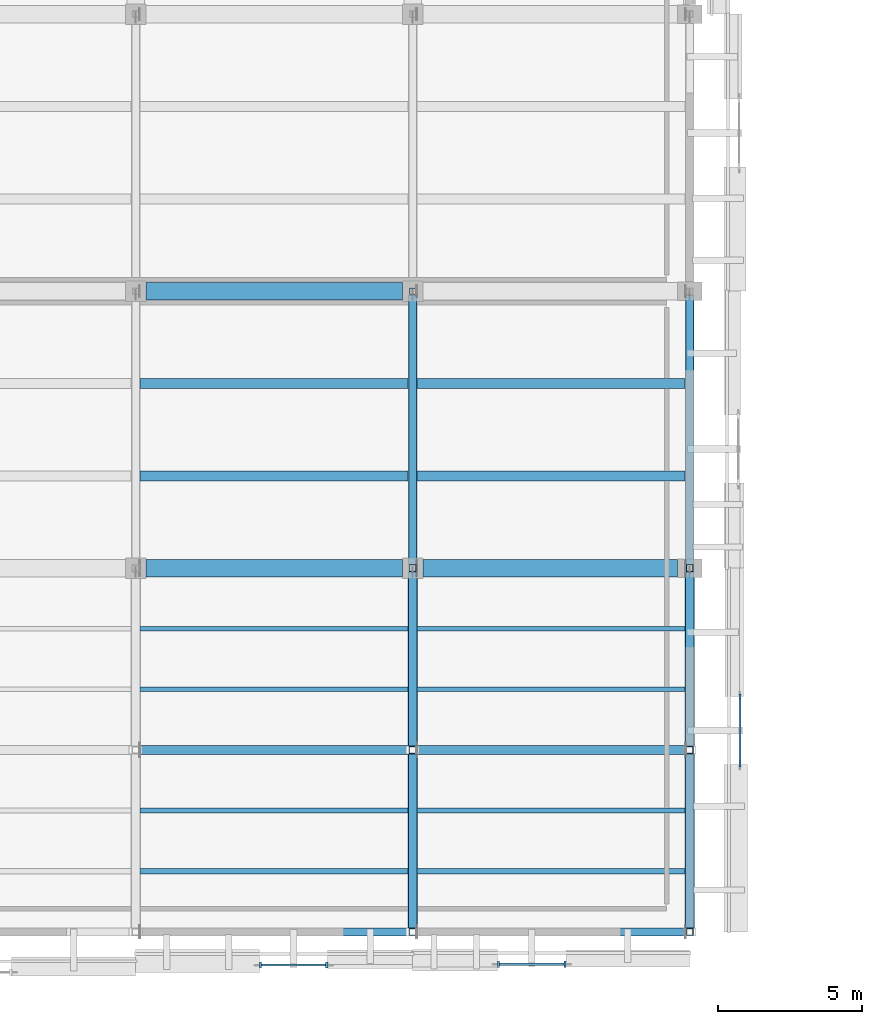
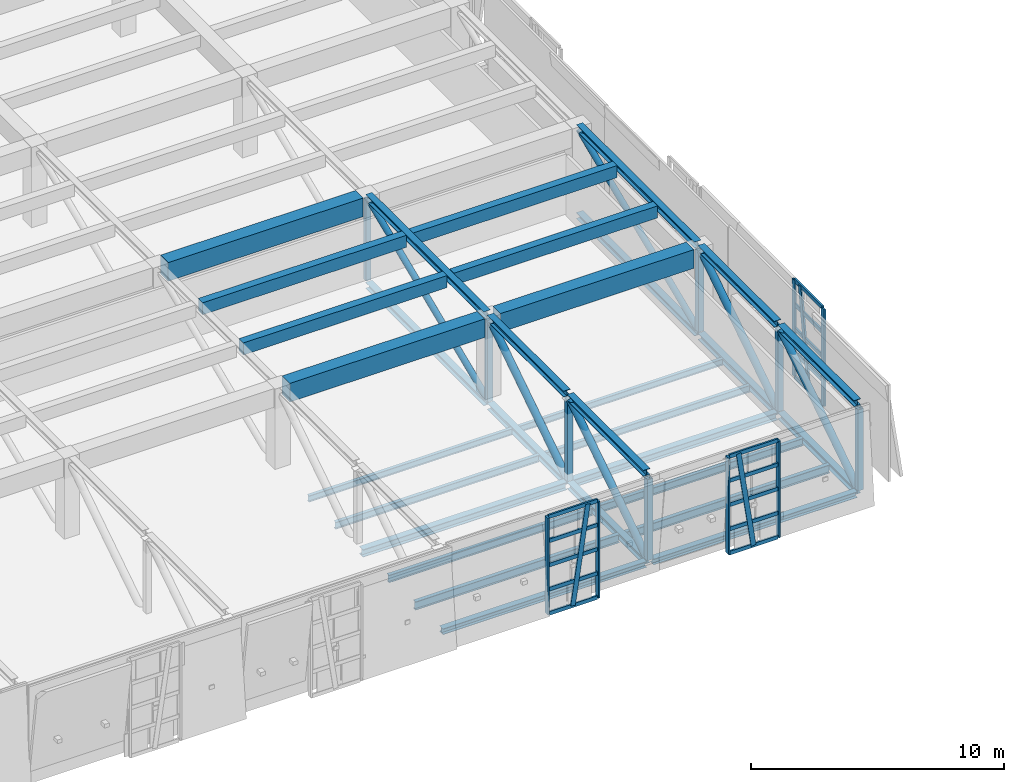
# One storey, part 13 of 62: 49 members, 19 beams, 3 elements without a shape of their own.
"""IFC4 building model written with IfcOpenShell, lengths in metres."""

from ifc_helpers import new_model, si_unit, direction, frame, origin, origin_2d, place, context, subcontext, project, spatial, rectangle, hollow_rectangle, hollow_circle, i_section, extrude, material, layer, layer_set, material_profile, profile_set, type_object, element, aggregate, save


model = new_model("IFC4")

# Units and contexts
model_context = context("Model", 3, precision=1e-05, world=origin(), true_north=direction((0.0, 1.0)))
body_context = subcontext(model_context, "Body", "Model", "MODEL_VIEW")
ifc_project = project(units=[si_unit("LENGTHUNIT", "METRE"), si_unit("AREAUNIT", "SQUARE_METRE"), si_unit("VOLUMEUNIT", "CUBIC_METRE"), si_unit("PLANEANGLEUNIT", "RADIAN"), si_unit("MASSUNIT", "GRAM", prefix="KILO")], contexts=[model_context])

# Site, building, storey
site_placement = place(None, origin())
site = spatial("IfcSite", under=ifc_project, at=site_placement, CompositionType="ELEMENT")
building_placement = place(site_placement, origin())
building = spatial("IfcBuilding", under=site, at=building_placement, Name="Bempovik Park Faculty of Sciences", CompositionType="ELEMENT")
storey_placement = place(building_placement, frame((0.0, 0.0, 9.89990234375)))
storey = spatial("IfcBuildingStorey", under=building, at=storey_placement, Name="L02", CompositionType="ELEMENT", Elevation=9.89990234375)

# Beams
ifc_material_1 = material(Name="Steel S355", Category="steel")
ifc_material_profile_1 = material_profile(ifc_material_1, i_section(OverallWidth=0.14990234375, OverallDepth=0.300048828125, WebThickness=0.007080078125, FlangeThickness=0.0107421875, at=origin_2d()), Name="IPE 300")
ifc_profile_set_1 = profile_set([ifc_material_profile_1], Name="Steel S355")
beam_type_1 = type_object("IfcBeamType", Name="B-043 IPE 300", PredefinedType="JOIST", material=ifc_profile_set_1)
for number, where, z_axis, x_axis, name in (
    (1, (98.555908203125, 17.699951171875, -0.469970703125), (1.0, 0.0, 0.0), (0.0, 1.0, 0.0), "Cantilever Floor Joist L02 (98.4-108.0, y=17.7)"),
    (2, (108.156005859375, 17.699951171875, -0.469970703125), (1.0, 0.0, 0.0), (0.0, 1.0, 0.0), "Cantilever Floor Joist L02 (108.0-117.6, y=17.7)"),
):
    element("IfcBeam", number, at=place(storey_placement, frame(where, z_axis=z_axis, x_axis=x_axis)), inside=storey, type_object=beam_type_1, Name=name, PredefinedType="JOIST", context=body_context, shape_type="SweptSolid", body=[
        extrude(i_section(OverallWidth=0.14990234375, OverallDepth=0.300048828125, WebThickness=0.007080078125, FlangeThickness=0.0107421875, at=origin_2d()), origin(), (0.0, 0.0, 1.0), 9.2880859375),
    ])
ifc_material_profile_2 = material_profile(ifc_material_1, i_section(OverallWidth=0.300048828125, OverallDepth=0.360107421875, WebThickness=0.012451171875, FlangeThickness=0.0224609375, at=origin_2d()), Name="HEB 360")
ifc_profile_set_2 = profile_set([ifc_material_profile_2], Name="Steel S355")
beam_type_2 = type_object("IfcBeamType", Name="B-102 HEB 360", PredefinedType="BEAM", material=ifc_profile_set_2)
for number, where, z_axis, x_axis, name in (
    (3, (98.555908203125, 13.5, -0.5), (1.0, 0.0, 0.0), (0.0, 1.0, 0.0), "Cantilever Collector Beam L02 (98.4-108.0, y=13.5)"),
    (4, (108.156005859375, 13.5, -0.5), (1.0, 0.0, 0.0), (0.0, 1.0, 0.0), "Cantilever Collector Beam L02 (108.0-117.6, y=13.5)"),
):
    element("IfcBeam", number, at=place(storey_placement, frame(where, z_axis=z_axis, x_axis=x_axis)), inside=storey, type_object=beam_type_2, Name=name, PredefinedType="BEAM", context=body_context, shape_type="SweptSolid", body=[
        extrude(i_section(OverallWidth=0.300048828125, OverallDepth=0.360107421875, WebThickness=0.012451171875, FlangeThickness=0.0224609375, at=origin_2d()), origin(), (0.0, 0.0, 1.0), 9.2880859375),
    ])
ifc_material_profile_3 = material_profile(ifc_material_1, i_section(OverallWidth=0.169921875, OverallDepth=0.360107421875, WebThickness=0.008056640625, FlangeThickness=0.0126953125, at=origin_2d()), Name="IPE 360")
ifc_profile_set_3 = profile_set([ifc_material_profile_3], Name="Steel S355")
beam_type_3 = type_object("IfcBeamType", Name="B-103 IPE 360", PredefinedType="JOIST", material=ifc_profile_set_3)
for number, where, z_axis, x_axis, name in (
    (5, (98.555908203125, 11.39990234375, -0.5), (1.0, 0.0, 0.0), (0.0, 1.0, 0.0), "Cantilever Floor Joist L02 (98.4-108.0, y=11.4)"),
    (6, (108.156005859375, 11.39990234375, -0.5), (1.0, 0.0, 0.0), (0.0, 1.0, 0.0), "Cantilever Floor Joist L02 (108.0-117.6, y=11.4)"),
):
    element("IfcBeam", number, at=place(storey_placement, frame(where, z_axis=z_axis, x_axis=x_axis)), inside=storey, type_object=beam_type_3, Name=name, PredefinedType="JOIST", context=body_context, shape_type="SweptSolid", body=[
        extrude(i_section(OverallWidth=0.169921875, OverallDepth=0.360107421875, WebThickness=0.008056640625, FlangeThickness=0.0126953125, at=origin_2d()), origin(), (0.0, 0.0, 1.0), 9.2880859375),
    ])
ifc_material_2 = material(Name="Concrete C35/45", Category="concrete")
ifc_material_profile_4 = material_profile(ifc_material_2, rectangle(XDim=0.35009765625, YDim=0.580078125, at=origin_2d()), Name="RC 350x580")
ifc_profile_set_4 = profile_set([ifc_material_profile_4], Name="Concrete C35/45")
beam_type_4 = type_object("IfcBeamType", Name="B-107 RC 350x580", PredefinedType="JOIST", material=ifc_profile_set_4)
for number, where, z_axis, x_axis, name in (
    (7, (98.555908203125, 23.0, 3.610107421875), (1.0, 0.0, 0.0), (0.0, 1.0, 0.0), "L02 Secondary Joist (98.4-108.0, y=23.00)"),
    (8, (98.555908203125, 26.199951171875, 3.610107421875), (1.0, 0.0, 0.0), (0.0, 1.0, 0.0), "L02 Secondary Joist (98.4-108.0, y=26.20)"),
    (9, (108.156005859375, 23.0, 3.610107421875), (1.0, 0.0, 0.0), (0.0, 1.0, 0.0), "L02 Secondary Joist (108.0-117.6, y=23.00)"),
    (10, (108.156005859375, 26.199951171875, 3.610107421875), (1.0, 0.0, 0.0), (0.0, 1.0, 0.0), "L02 Secondary Joist (108.0-117.6, y=26.20)"),
):
    element("IfcBeam", number, at=place(storey_placement, frame(where, z_axis=z_axis, x_axis=x_axis)), inside=storey, type_object=beam_type_4, Name=name, PredefinedType="JOIST", context=body_context, shape_type="SweptSolid", body=[
        extrude(rectangle(XDim=0.35009765625, YDim=0.580078125, at=origin_2d()), origin(), (0.0, 0.0, 1.0), 9.2880859375),
    ])
ifc_material_profile_5 = material_profile(ifc_material_1, i_section(OverallWidth=0.179931640625, OverallDepth=0.39990234375, WebThickness=0.008544921875, FlangeThickness=0.013427734375, at=origin_2d()), Name="IPE 400")
ifc_profile_set_5 = profile_set([ifc_material_profile_5], Name="Steel S355")
beam_type_5 = type_object("IfcBeamType", Name="B-111 IPE 400", PredefinedType="BEAM", material=ifc_profile_set_5)
for number, where, z_axis, x_axis, name in (
    (11, (98.555908203125, 9.300048828125, -0.52001953125), (1.0, 0.0, 0.0), (0.0, 1.0, 0.0), "Cantilever Floor Joist L02 (98.4-108.0, y=9.3)"),
    (12, (108.156005859375, 9.300048828125, -0.52001953125), (1.0, 0.0, 0.0), (0.0, 1.0, 0.0), "Cantilever Floor Joist L02 (108.0-117.6, y=9.3)"),
):
    element("IfcBeam", number, at=place(storey_placement, frame(where, z_axis=z_axis, x_axis=x_axis)), inside=storey, type_object=beam_type_5, Name=name, PredefinedType="BEAM", context=body_context, shape_type="SweptSolid", body=[
        extrude(i_section(OverallWidth=0.179931640625, OverallDepth=0.39990234375, WebThickness=0.008544921875, FlangeThickness=0.013427734375, at=origin_2d()), origin(), (0.0, 0.0, 1.0), 9.2880859375),
    ])
ifc_material_3 = material(Name="Concrete C40/50", Category="concrete")
ifc_material_profile_6 = material_profile(ifc_material_3, rectangle(XDim=0.60009765625, YDim=0.89990234375, at=origin_2d()), Name="RC 600x900")
ifc_profile_set_6 = profile_set([ifc_material_profile_6], Name="Concrete C40/50")
beam_type_6 = type_object("IfcBeamType", Name="B-115 RC 600x900", PredefinedType="BEAM", material=ifc_profile_set_6)
beam_1_placement = place(storey_placement, frame((98.756103515625, 19.800048828125, 3.4501953125), z_axis=(1.0, 0.0, 0.0), x_axis=(0.0, 1.0, 0.0)))
element("IfcBeam", 13, at=beam_1_placement, inside=storey, type_object=beam_type_6, Name="L02 Beam X (98.4-108.0, y=19.8)", PredefinedType="BEAM", context=body_context, shape_type="SweptSolid", body=[
    extrude(rectangle(XDim=0.60009765625, YDim=0.89990234375, at=origin_2d()), origin(), (0.0, 0.0, 1.0), 8.887939453125),
])
beam_2_placement = place(storey_placement, frame((108.35595703125, 19.800048828125, 3.4501953125), z_axis=(1.0, 0.0, 0.0), x_axis=(0.0, 1.0, 0.0)))
element("IfcBeam", 14, at=beam_2_placement, inside=storey, type_object=beam_type_6, Name="L02 Beam X (108.0-117.6, y=19.8)", PredefinedType="BEAM", context=body_context, shape_type="SweptSolid", body=[
    extrude(rectangle(XDim=0.60009765625, YDim=0.89990234375, at=origin_2d()), origin(), (0.0, 0.0, 1.0), 8.81298828125),
])
beam_3_placement = place(storey_placement, frame((98.756103515625, 29.39990234375, 3.4501953125), z_axis=(1.0, 0.0, 0.0), x_axis=(0.0, 1.0, 0.0)))
element("IfcBeam", 15, at=beam_3_placement, inside=storey, type_object=beam_type_6, Name="L02 Beam X (98.4-108.0, y=29.4)", PredefinedType="BEAM", context=body_context, shape_type="SweptSolid", body=[
    extrude(rectangle(XDim=0.60009765625, YDim=0.89990234375, at=origin_2d()), origin(), (0.0, 0.0, 1.0), 8.887939453125),
])
ifc_material_profile_7 = material_profile(ifc_material_1, i_section(OverallWidth=0.280029296875, OverallDepth=0.280029296875, WebThickness=0.010498046875, FlangeThickness=0.01806640625, at=origin_2d()), Name="HEB 280")
ifc_profile_set_7 = profile_set([ifc_material_profile_7], Name="Steel S355")
beam_type_7 = type_object("IfcBeamType", Name="B-119 HEB 280", PredefinedType="SPANDREL", material=ifc_profile_set_7)
for number, where, z_axis, x_axis, name in (
    (16, (98.555908203125, 7.199951171875, -0.4599609375), (1.0, 0.0, 0.0), (0.0, 1.0, 0.0), "Cantilever Collector Beam L02 (98.4-108.0, y=7.2)"),
    (17, (108.156005859375, 7.199951171875, -0.4599609375), (1.0, 0.0, 0.0), (0.0, 1.0, 0.0), "Cantilever Collector Beam L02 (108.0-117.6, y=7.2)"),
):
    element("IfcBeam", number, at=place(storey_placement, frame(where, z_axis=z_axis, x_axis=x_axis)), inside=storey, type_object=beam_type_7, Name=name, PredefinedType="SPANDREL", context=body_context, shape_type="SweptSolid", body=[
        extrude(i_section(OverallWidth=0.280029296875, OverallDepth=0.280029296875, WebThickness=0.010498046875, FlangeThickness=0.01806640625, at=origin_2d()), origin(), (0.0, 0.0, 1.0), 9.2880859375),
    ])
ifc_material_profile_8 = material_profile(ifc_material_1, i_section(OverallWidth=0.159912109375, OverallDepth=0.330078125, WebThickness=0.007568359375, FlangeThickness=0.011474609375, at=origin_2d()), Name="IPE 330")
ifc_profile_set_8 = profile_set([ifc_material_profile_8], Name="Steel S355")
beam_type_8 = type_object("IfcBeamType", Name="B-126 IPE 330", PredefinedType="BEAM", material=ifc_profile_set_8)
for number, where, z_axis, x_axis, name in (
    (18, (98.555908203125, 15.60009765625, -0.48486328125), (1.0, 0.0, 0.0), (0.0, 1.0, 0.0), "Cantilever Floor Joist L02 (98.4-108.0, y=15.6)"),
    (19, (108.156005859375, 15.60009765625, -0.48486328125), (1.0, 0.0, 0.0), (0.0, 1.0, 0.0), "Cantilever Floor Joist L02 (108.0-117.6, y=15.6)"),
):
    element("IfcBeam", number, at=place(storey_placement, frame(where, z_axis=z_axis, x_axis=x_axis)), inside=storey, type_object=beam_type_8, Name=name, PredefinedType="BEAM", context=body_context, shape_type="SweptSolid", body=[
        extrude(i_section(OverallWidth=0.159912109375, OverallDepth=0.330078125, WebThickness=0.007568359375, FlangeThickness=0.011474609375, at=origin_2d()), origin(), (0.0, 0.0, 1.0), 9.2880859375),
    ])

# Members
ifc_material_profile_9 = material_profile(ifc_material_1, i_section(OverallWidth=0.300048828125, OverallDepth=0.320068359375, WebThickness=0.011474609375, FlangeThickness=0.0205078125, at=origin_2d()), Name="HEB 320")
ifc_profile_set_9 = profile_set([ifc_material_profile_9], Name="Steel S355")
member_type_1 = type_object("IfcMemberType", Name="M-24 HEB 320", PredefinedType="CHORD", material=ifc_profile_set_9)
for number, where, z_axis, x_axis, name in (
    (20, (108.0, 7.33203125, -0.47998046875), (0.0, 1.0, 0.0), (-1.0, 0.0, 0.0), "Cantilever Truss 6 Bottom Chord 1"),
    (21, (108.0, 13.632080078125, -0.47998046875), (0.0, 1.0, 0.0), (-1.0, 0.0, 0.0), "Cantilever Truss 6 Bottom Chord 2"),
    (22, (117.60009765625, 7.33203125, -0.47998046875), (0.0, 1.0, 0.0), (-1.0, 0.0, 0.0), "Cantilever Truss 7 Bottom Chord 1"),
    (23, (117.60009765625, 13.632080078125, -0.47998046875), (0.0, 1.0, 0.0), (-1.0, 0.0, 0.0), "Cantilever Truss 7 Bottom Chord 2"),
):
    element("IfcMember", number, at=place(storey_placement, frame(where, z_axis=z_axis, x_axis=x_axis)), inside=storey, type_object=member_type_1, Name=name, PredefinedType="CHORD", context=body_context, shape_type="SweptSolid", body=[
        extrude(i_section(OverallWidth=0.300048828125, OverallDepth=0.320068359375, WebThickness=0.011474609375, FlangeThickness=0.0205078125, at=origin_2d()), origin(), (0.0, 0.0, 1.0), 6.035888671875),
    ])
ifc_material_profile_10 = material_profile(ifc_material_1, hollow_rectangle(XDim=0.219970703125, YDim=0.219970703125, WallThickness=0.010009765625, at=origin_2d()), Name="SHS 220x220x10")
ifc_profile_set_10 = profile_set([ifc_material_profile_10], Name="Steel S355")
member_type_2 = type_object("IfcMemberType", Name="M-32 SHS 220x220x10", PredefinedType="POST", material=ifc_profile_set_10)
member_1_placement = place(storey_placement, frame((108.0, 29.39990234375, -0.31396484375), z_axis=(0.0, 0.0, 1.0), x_axis=(1.0, 0.0, 0.0)))
element("IfcMember", 24, at=member_1_placement, inside=storey, type_object=member_type_2, Name="Cantilever Truss 6 L02 Post 4", PredefinedType="POST", context=body_context, shape_type="SweptSolid", body=[
    extrude(hollow_rectangle(XDim=0.219970703125, YDim=0.219970703125, WallThickness=0.010009765625, at=origin_2d()), origin(), (0.0, 0.0, 1.0), 3.907958984375),
])
ifc_material_profile_11 = material_profile(ifc_material_1, hollow_circle(Radius=0.161865234375, WallThickness=0.01611328125, at=origin_2d()), Name="CHS 323.9x16")
ifc_profile_set_11 = profile_set([ifc_material_profile_11], Name="Steel S355")
member_type_3 = type_object("IfcMemberType", Name="M-38 CHS 323.9x16", PredefinedType="BRACE", material=ifc_profile_set_11)
for number, where, z_axis, x_axis, name in (
    (25, (108.0, 7.3349609375, -0.31396484375), (0.0, 0.839177969372, 0.543856907395), (-1.0, 0.0, 0.0), "Cantilever Truss 6 L02 Diagonal 1"),
    (26, (108.0, 13.635009765625, -0.31396484375), (0.0, 0.839177969372, 0.543856907395), (-1.0, 0.0, 0.0), "Cantilever Truss 6 L02 Diagonal 2"),
    (27, (117.60009765625, 7.3349609375, -0.31396484375), (0.0, 0.839177969372, 0.543856907395), (-1.0, 0.0, 0.0), "Cantilever Truss 7 L02 Diagonal 1"),
    (28, (117.60009765625, 13.635009765625, -0.31396484375), (0.0, 0.839177969372, 0.543856907395), (-1.0, 0.0, 0.0), "Cantilever Truss 7 L02 Diagonal 2"),
):
    element("IfcMember", number, at=place(storey_placement, frame(where, z_axis=z_axis, x_axis=x_axis)), inside=storey, type_object=member_type_3, Name=name, PredefinedType="BRACE", context=body_context, shape_type="SweptSolid", body=[
        extrude(hollow_circle(Radius=0.161865234375, WallThickness=0.01611328125, at=origin_2d()), origin(), (0.0, 0.0, 1.0), 7.185546875),
    ])
ifc_material_profile_12 = material_profile(ifc_material_1, i_section(OverallWidth=0.300048828125, OverallDepth=0.300048828125, WebThickness=0.010986328125, FlangeThickness=0.01904296875, at=origin_2d()), Name="HEB 300")
ifc_profile_set_12 = profile_set([ifc_material_profile_12], Name="Steel S355")
member_type_4 = type_object("IfcMemberType", Name="M-55 HEB 300", PredefinedType="CHORD", material=ifc_profile_set_12)
for number, where, z_axis, x_axis, name in (
    (29, (108.0, 7.33203125, 3.75), (0.0, 1.0, 0.0), (-1.0, 0.0, 0.0), "Cantilever Truss 6 Mid Tie 1"),
    (30, (108.0, 13.632080078125, 3.75), (0.0, 1.0, 0.0), (-1.0, 0.0, 0.0), "Cantilever Truss 6 Mid Tie 2"),
):
    element("IfcMember", number, at=place(storey_placement, frame(where, z_axis=z_axis, x_axis=x_axis)), inside=storey, type_object=member_type_4, Name=name, PredefinedType="CHORD", context=body_context, shape_type="SweptSolid", body=[
        extrude(i_section(OverallWidth=0.300048828125, OverallDepth=0.300048828125, WebThickness=0.010986328125, FlangeThickness=0.01904296875, at=origin_2d()), origin(), (0.0, 0.0, 1.0), 6.035888671875),
    ])
for number, where, z_axis, x_axis, name in (
    (31, (108.0, 19.931884765625, -0.47998046875), (0.0, 1.0, 0.0), (-1.0, 0.0, 0.0), "Cantilever Truss 6 Bottom Chord 3"),
    (32, (108.0, 19.931884765625, 3.75), (0.0, 1.0, 0.0), (-1.0, 0.0, 0.0), "Cantilever Truss 6 Mid Tie 3"),
):
    element("IfcMember", number, at=place(storey_placement, frame(where, z_axis=z_axis, x_axis=x_axis)), inside=storey, type_object=member_type_4, Name=name, PredefinedType="CHORD", context=body_context, shape_type="SweptSolid", body=[
        extrude(i_section(OverallWidth=0.300048828125, OverallDepth=0.300048828125, WebThickness=0.010986328125, FlangeThickness=0.01904296875, at=origin_2d()), origin(), (0.0, 0.0, 1.0), 9.336181640625),
    ])
for number, where, z_axis, x_axis, name in (
    (33, (117.60009765625, 7.33203125, 3.75), (0.0, 1.0, 0.0), (-1.0, 0.0, 0.0), "Cantilever Truss 7 Mid Tie 1"),
    (34, (117.60009765625, 13.632080078125, 3.75), (0.0, 1.0, 0.0), (-1.0, 0.0, 0.0), "Cantilever Truss 7 Mid Tie 2"),
):
    element("IfcMember", number, at=place(storey_placement, frame(where, z_axis=z_axis, x_axis=x_axis)), inside=storey, type_object=member_type_4, Name=name, PredefinedType="CHORD", context=body_context, shape_type="SweptSolid", body=[
        extrude(i_section(OverallWidth=0.300048828125, OverallDepth=0.300048828125, WebThickness=0.010986328125, FlangeThickness=0.01904296875, at=origin_2d()), origin(), (0.0, 0.0, 1.0), 6.035888671875),
    ])
for number, where, z_axis, x_axis, name in (
    (35, (117.60009765625, 19.931884765625, -0.47998046875), (0.0, 1.0, 0.0), (-1.0, 0.0, 0.0), "Cantilever Truss 7 Bottom Chord 3"),
    (36, (117.60009765625, 19.931884765625, 3.75), (0.0, 1.0, 0.0), (-1.0, 0.0, 0.0), "Cantilever Truss 7 Mid Tie 3"),
):
    element("IfcMember", number, at=place(storey_placement, frame(where, z_axis=z_axis, x_axis=x_axis)), inside=storey, type_object=member_type_4, Name=name, PredefinedType="CHORD", context=body_context, shape_type="SweptSolid", body=[
        extrude(i_section(OverallWidth=0.300048828125, OverallDepth=0.300048828125, WebThickness=0.010986328125, FlangeThickness=0.01904296875, at=origin_2d()), origin(), (0.0, 0.0, 1.0), 9.336181640625),
    ])
ifc_material_profile_13 = material_profile(ifc_material_1, hollow_rectangle(XDim=0.25, YDim=0.25, WallThickness=0.012451171875, at=origin_2d()), Name="SHS 250x250x12.5")
ifc_profile_set_13 = profile_set([ifc_material_profile_13], Name="Steel S355")
member_type_5 = type_object("IfcMemberType", Name="M-64 SHS 250x250x12.5", PredefinedType="POST", material=ifc_profile_set_13)
for number, where, z_axis, x_axis, name in (
    (37, (108.0, 7.199951171875, -0.31396484375), (0.0, 0.0, 1.0), (1.0, 0.0, 0.0), "Cantilever Truss 6 L02 Post 1"),
    (38, (108.0, 13.5, -0.31396484375), (0.0, 0.0, 1.0), (1.0, 0.0, 0.0), "Cantilever Truss 6 L02 Post 2"),
    (39, (108.0, 19.800048828125, -0.31396484375), (0.0, 0.0, 1.0), (1.0, 0.0, 0.0), "Cantilever Truss 6 L02 Post 3"),
    (40, (117.60009765625, 7.199951171875, -0.31396484375), (0.0, 0.0, 1.0), (1.0, 0.0, 0.0), "Cantilever Truss 7 L02 Post 1"),
    (41, (117.60009765625, 13.5, -0.31396484375), (0.0, 0.0, 1.0), (1.0, 0.0, 0.0), "Cantilever Truss 7 L02 Post 2"),
    (42, (117.60009765625, 19.800048828125, -0.31396484375), (0.0, 0.0, 1.0), (1.0, 0.0, 0.0), "Cantilever Truss 7 L02 Post 3"),
):
    element("IfcMember", number, at=place(storey_placement, frame(where, z_axis=z_axis, x_axis=x_axis)), inside=storey, type_object=member_type_5, Name=name, PredefinedType="POST", context=body_context, shape_type="SweptSolid", body=[
        extrude(hollow_rectangle(XDim=0.25, YDim=0.25, WallThickness=0.012451171875, at=origin_2d()), origin(), (0.0, 0.0, 1.0), 3.907958984375),
    ])
ifc_material_profile_14 = material_profile(ifc_material_1, hollow_circle(Radius=0.136474609375, WallThickness=0.012451171875, at=origin_2d()), Name="CHS 273x12.5")
ifc_profile_set_14 = profile_set([ifc_material_profile_14], Name="Steel S355")
member_type_6 = type_object("IfcMemberType", Name="M-78 CHS 273x12.5", PredefinedType="BRACE", material=ifc_profile_set_14)
for number, where, z_axis, x_axis, name in (
    (43, (108.0, 19.93505859375, -0.31396484375), (0.0, 0.922354795709, 0.386343928167), (-1.0, 0.0, 0.0), "Cantilever Truss 6 L02 Diagonal 3"),
    (44, (117.60009765625, 19.93505859375, -0.31396484375), (0.0, 0.922354795709, 0.386343928167), (-1.0, 0.0, 0.0), "Cantilever Truss 7 L02 Diagonal 3"),
):
    element("IfcMember", number, at=place(storey_placement, frame(where, z_axis=z_axis, x_axis=x_axis)), inside=storey, type_object=member_type_6, Name=name, PredefinedType="BRACE", context=body_context, shape_type="SweptSolid", body=[
        extrude(hollow_circle(Radius=0.136474609375, WallThickness=0.012451171875, at=origin_2d()), origin(), (0.0, 0.0, 1.0), 10.115234375),
    ])

# Curtain wall, members
ifc_material_4 = material(Name="Tempered laminated low-E glass", Category="glass")
ifc_layer = layer(ifc_material_4, 0.159912109375)
ifc_layer_set = layer_set([ifc_layer], Name="Tempered laminated low-E glass")
curtain_wall_type = type_object("IfcCurtainWallType", Name="CW-61 Curtain 2400x4200", PredefinedType="USERDEFINED", material=ifc_layer_set)
curtain_wall_1_placement = place(storey_placement, origin())
curtain_wall_1 = element("IfcCurtainWall", 45, at=curtain_wall_1_placement, inside=storey, type_object=curtain_wall_type, Name="L02 Crystal Slantwise Light Fold (117.6,7.2)", ObjectType="UNITISED CURTAIN WALL", PredefinedType="USERDEFINED")
ifc_material_5 = material(Name="Anodised architectural bronze", Category="aluminium")
ifc_material_profile_15 = material_profile(ifc_material_5, rectangle(XDim=0.080078125, YDim=0.219970703125, at=origin_2d()), Name="ALU-M 80x220")
ifc_profile_set_15 = profile_set([ifc_material_profile_15], Name="Anodised architectural bronze")
member_type_7 = type_object("IfcMemberType", Name="ML-29 ALU-M 80x220", PredefinedType="MULLION", material=ifc_profile_set_15)
member_2_placement = place(storey_placement, frame((119.34033203125, 13.02490234375, -0.419921875), z_axis=(0.0, 0.0, 1.0), x_axis=(1.0, 0.0, 0.0)))
member_2 = element("IfcMember", 46, at=member_2_placement, type_object=member_type_7, Name="CW-FOLD-L02-1176-72 Mullion 0", PredefinedType="MULLION", context=body_context, shape_type="SweptSolid", body=[
    extrude(rectangle(XDim=0.080078125, YDim=0.219970703125, at=origin_2d()), origin(), (0.0, 0.0, 1.0), 4.659912109375),
])
member_3_placement = place(storey_placement, frame((119.34033203125, 14.175048828125, -0.419921875), z_axis=(0.0, 0.144381979777, 0.989522028009), x_axis=(-1.0, 0.0, 0.0)))
member_3 = element("IfcMember", 47, at=member_3_placement, type_object=member_type_7, Name="CW-FOLD-L02-1176-72 Mullion 1", PredefinedType="MULLION", context=body_context, shape_type="SweptSolid", body=[
    extrude(rectangle(XDim=0.080078125, YDim=0.219970703125, at=origin_2d()), origin(), (0.0, 0.0, 1.0), 4.709228515625),
])
member_4_placement = place(storey_placement, frame((119.34033203125, 15.324951171875, -0.419921875), z_axis=(0.0, 0.0, 1.0), x_axis=(1.0, 0.0, 0.0)))
member_4 = element("IfcMember", 48, at=member_4_placement, type_object=member_type_7, Name="CW-FOLD-L02-1176-72 Mullion 2", PredefinedType="MULLION", context=body_context, shape_type="SweptSolid", body=[
    extrude(rectangle(XDim=0.080078125, YDim=0.219970703125, at=origin_2d()), origin(), (0.0, 0.0, 1.0), 4.659912109375),
])

curtain_wall_2_placement = place(storey_placement, origin())
curtain_wall_2 = element("IfcCurtainWall", 49, at=curtain_wall_2_placement, inside=storey, type_object=curtain_wall_type, Name="L02 Crystal Slantwise Light Fold (7.2,98.4)", ObjectType="UNITISED CURTAIN WALL", PredefinedType="USERDEFINED")
member_5_placement = place(storey_placement, frame((102.72509765625, 6.047607421875, -0.419921875), z_axis=(0.0, 0.0, 1.0), x_axis=(1.0, 0.0, 0.0)))
member_5 = element("IfcMember", 50, at=member_5_placement, type_object=member_type_7, Name="CW-FOLD-L02-72-984 Mullion 0", PredefinedType="MULLION", context=body_context, shape_type="SweptSolid", body=[
    extrude(rectangle(XDim=0.080078125, YDim=0.219970703125, at=origin_2d()), origin(), (0.0, 0.0, 1.0), 4.659912109375),
])
member_6_placement = place(storey_placement, frame((103.875, 6.047607421875, -0.419921875), z_axis=(0.144381979777, 0.0, 0.989522028009), x_axis=(0.0, 1.0, 0.0)))
member_6 = element("IfcMember", 51, at=member_6_placement, type_object=member_type_7, Name="CW-FOLD-L02-72-984 Mullion 1", PredefinedType="MULLION", context=body_context, shape_type="SweptSolid", body=[
    extrude(rectangle(XDim=0.080078125, YDim=0.219970703125, at=origin_2d()), origin(), (0.0, 0.0, 1.0), 4.709228515625),
])
member_7_placement = place(storey_placement, frame((105.02490234375, 6.047607421875, -0.419921875), z_axis=(0.0, 0.0, 1.0), x_axis=(1.0, 0.0, 0.0)))
member_7 = element("IfcMember", 52, at=member_7_placement, type_object=member_type_7, Name="CW-FOLD-L02-72-984 Mullion 2", PredefinedType="MULLION", context=body_context, shape_type="SweptSolid", body=[
    extrude(rectangle(XDim=0.080078125, YDim=0.219970703125, at=origin_2d()), origin(), (0.0, 0.0, 1.0), 4.659912109375),
])

curtain_wall_3_placement = place(storey_placement, origin())
curtain_wall_3 = element("IfcCurtainWall", 53, at=curtain_wall_3_placement, inside=storey, type_object=curtain_wall_type, Name="L02 Crystal Slantwise Light Fold (7.2,108.0)", ObjectType="UNITISED CURTAIN WALL", PredefinedType="USERDEFINED")
member_8_placement = place(storey_placement, frame((110.97509765625, 6.079833984375, -0.419921875), z_axis=(0.0, 0.0, 1.0), x_axis=(1.0, 0.0, 0.0)))
member_8 = element("IfcMember", 54, at=member_8_placement, type_object=member_type_7, Name="CW-FOLD-L02-72-1080 Mullion 0", PredefinedType="MULLION", context=body_context, shape_type="SweptSolid", body=[
    extrude(rectangle(XDim=0.080078125, YDim=0.219970703125, at=origin_2d()), origin(), (0.0, 0.0, 1.0), 4.659912109375),
])
member_9_placement = place(storey_placement, frame((112.125, 6.079833984375, -0.419921875), z_axis=(-0.144381979777, 0.0, 0.989522028009), x_axis=(0.0, -1.0, 0.0)))
member_9 = element("IfcMember", 55, at=member_9_placement, type_object=member_type_7, Name="CW-FOLD-L02-72-1080 Mullion 1", PredefinedType="MULLION", context=body_context, shape_type="SweptSolid", body=[
    extrude(rectangle(XDim=0.080078125, YDim=0.219970703125, at=origin_2d()), origin(), (0.0, 0.0, 1.0), 4.709228515625),
])
member_10_placement = place(storey_placement, frame((113.27490234375, 6.079833984375, -0.419921875), z_axis=(0.0, 0.0, 1.0), x_axis=(1.0, 0.0, 0.0)))
member_10 = element("IfcMember", 56, at=member_10_placement, type_object=member_type_7, Name="CW-FOLD-L02-72-1080 Mullion 2", PredefinedType="MULLION", context=body_context, shape_type="SweptSolid", body=[
    extrude(rectangle(XDim=0.080078125, YDim=0.219970703125, at=origin_2d()), origin(), (0.0, 0.0, 1.0), 4.659912109375),
])

# Member
ifc_material_profile_16 = material_profile(ifc_material_5, rectangle(XDim=0.080078125, YDim=0.179931640625, at=origin_2d()), Name="ALU-T 80x180")
ifc_profile_set_16 = profile_set([ifc_material_profile_16], Name="Anodised architectural bronze")
member_type_8 = type_object("IfcMemberType", Name="TR-29 ALU-T 80x180", PredefinedType="USERDEFINED", material=ifc_profile_set_16)
member_11_placement = place(storey_placement, frame((119.34033203125, 13.06494140625, -0.419921875), z_axis=(0.0, 1.0, 0.0), x_axis=(-1.0, 0.0, 0.0)))
member_11 = element("IfcMember", 57, at=member_11_placement, type_object=member_type_8, Name="CW-FOLD-L02-1176-72 Transom 0", ObjectType="TRANSOM", PredefinedType="USERDEFINED", context=body_context, shape_type="SweptSolid", body=[
    extrude(rectangle(XDim=0.080078125, YDim=0.179931640625, at=origin_2d()), origin(), (0.0, 0.0, 1.0), 2.219970703125),
])

member_12_placement = place(storey_placement, frame((119.34033203125, 13.06494140625, 0.7451171875), z_axis=(0.0, 1.0, 0.0), x_axis=(-1.0, 0.0, 0.0)))
member_12 = element("IfcMember", 58, at=member_12_placement, type_object=member_type_8, Name="CW-FOLD-L02-1176-72 Transom 1", ObjectType="TRANSOM", PredefinedType="USERDEFINED", context=body_context, shape_type="SweptSolid", body=[
    extrude(rectangle(XDim=0.080078125, YDim=0.179931640625, at=origin_2d()), origin(), (0.0, 0.0, 1.0), 2.219970703125),
])

member_13_placement = place(storey_placement, frame((119.34033203125, 13.06494140625, 1.91015625), z_axis=(0.0, 1.0, 0.0), x_axis=(-1.0, 0.0, 0.0)))
member_13 = element("IfcMember", 59, at=member_13_placement, type_object=member_type_8, Name="CW-FOLD-L02-1176-72 Transom 2", ObjectType="TRANSOM", PredefinedType="USERDEFINED", context=body_context, shape_type="SweptSolid", body=[
    extrude(rectangle(XDim=0.080078125, YDim=0.179931640625, at=origin_2d()), origin(), (0.0, 0.0, 1.0), 2.219970703125),
])

member_14_placement = place(storey_placement, frame((119.34033203125, 13.06494140625, 3.0751953125), z_axis=(0.0, 1.0, 0.0), x_axis=(-1.0, 0.0, 0.0)))
member_14 = element("IfcMember", 60, at=member_14_placement, type_object=member_type_8, Name="CW-FOLD-L02-1176-72 Transom 3", ObjectType="TRANSOM", PredefinedType="USERDEFINED", context=body_context, shape_type="SweptSolid", body=[
    extrude(rectangle(XDim=0.080078125, YDim=0.179931640625, at=origin_2d()), origin(), (0.0, 0.0, 1.0), 2.219970703125),
])

member_15_placement = place(storey_placement, frame((119.34033203125, 13.06494140625, 4.239990234375), z_axis=(0.0, 1.0, 0.0), x_axis=(-1.0, 0.0, 0.0)))
member_15 = element("IfcMember", 61, at=member_15_placement, type_object=member_type_8, Name="CW-FOLD-L02-1176-72 Transom 4", ObjectType="TRANSOM", PredefinedType="USERDEFINED", context=body_context, shape_type="SweptSolid", body=[
    extrude(rectangle(XDim=0.080078125, YDim=0.179931640625, at=origin_2d()), origin(), (0.0, 0.0, 1.0), 2.219970703125),
])

aggregate(curtain_wall_1, [member_2, member_3, member_4, member_11, member_12, member_13, member_14, member_15])

member_16_placement = place(storey_placement, frame((102.764892578125, 6.047607421875, -0.419921875), z_axis=(1.0, 0.0, 0.0), x_axis=(0.0, 1.0, 0.0)))
member_16 = element("IfcMember", 62, at=member_16_placement, type_object=member_type_8, Name="CW-FOLD-L02-72-984 Transom 0", ObjectType="TRANSOM", PredefinedType="USERDEFINED", context=body_context, shape_type="SweptSolid", body=[
    extrude(rectangle(XDim=0.080078125, YDim=0.179931640625, at=origin_2d()), origin(), (0.0, 0.0, 1.0), 2.22021484375),
])

member_17_placement = place(storey_placement, frame((102.764892578125, 6.047607421875, 0.7451171875), z_axis=(1.0, 0.0, 0.0), x_axis=(0.0, 1.0, 0.0)))
member_17 = element("IfcMember", 63, at=member_17_placement, type_object=member_type_8, Name="CW-FOLD-L02-72-984 Transom 1", ObjectType="TRANSOM", PredefinedType="USERDEFINED", context=body_context, shape_type="SweptSolid", body=[
    extrude(rectangle(XDim=0.080078125, YDim=0.179931640625, at=origin_2d()), origin(), (0.0, 0.0, 1.0), 2.22021484375),
])

member_18_placement = place(storey_placement, frame((102.764892578125, 6.047607421875, 1.91015625), z_axis=(1.0, 0.0, 0.0), x_axis=(0.0, 1.0, 0.0)))
member_18 = element("IfcMember", 64, at=member_18_placement, type_object=member_type_8, Name="CW-FOLD-L02-72-984 Transom 2", ObjectType="TRANSOM", PredefinedType="USERDEFINED", context=body_context, shape_type="SweptSolid", body=[
    extrude(rectangle(XDim=0.080078125, YDim=0.179931640625, at=origin_2d()), origin(), (0.0, 0.0, 1.0), 2.22021484375),
])

member_19_placement = place(storey_placement, frame((102.764892578125, 6.047607421875, 3.0751953125), z_axis=(1.0, 0.0, 0.0), x_axis=(0.0, 1.0, 0.0)))
member_19 = element("IfcMember", 65, at=member_19_placement, type_object=member_type_8, Name="CW-FOLD-L02-72-984 Transom 3", ObjectType="TRANSOM", PredefinedType="USERDEFINED", context=body_context, shape_type="SweptSolid", body=[
    extrude(rectangle(XDim=0.080078125, YDim=0.179931640625, at=origin_2d()), origin(), (0.0, 0.0, 1.0), 2.22021484375),
])

member_20_placement = place(storey_placement, frame((102.764892578125, 6.047607421875, 4.239990234375), z_axis=(1.0, 0.0, 0.0), x_axis=(0.0, 1.0, 0.0)))
member_20 = element("IfcMember", 66, at=member_20_placement, type_object=member_type_8, Name="CW-FOLD-L02-72-984 Transom 4", ObjectType="TRANSOM", PredefinedType="USERDEFINED", context=body_context, shape_type="SweptSolid", body=[
    extrude(rectangle(XDim=0.080078125, YDim=0.179931640625, at=origin_2d()), origin(), (0.0, 0.0, 1.0), 2.22021484375),
])

aggregate(curtain_wall_2, [member_5, member_6, member_7, member_16, member_17, member_18, member_19, member_20])

member_21_placement = place(storey_placement, frame((111.014892578125, 6.079833984375, -0.419921875), z_axis=(1.0, 0.0, 0.0), x_axis=(0.0, 1.0, 0.0)))
member_21 = element("IfcMember", 67, at=member_21_placement, type_object=member_type_8, Name="CW-FOLD-L02-72-1080 Transom 0", ObjectType="TRANSOM", PredefinedType="USERDEFINED", context=body_context, shape_type="SweptSolid", body=[
    extrude(rectangle(XDim=0.080078125, YDim=0.179931640625, at=origin_2d()), origin(), (0.0, 0.0, 1.0), 2.22021484375),
])

member_22_placement = place(storey_placement, frame((111.014892578125, 6.079833984375, 0.7451171875), z_axis=(1.0, 0.0, 0.0), x_axis=(0.0, 1.0, 0.0)))
member_22 = element("IfcMember", 68, at=member_22_placement, type_object=member_type_8, Name="CW-FOLD-L02-72-1080 Transom 1", ObjectType="TRANSOM", PredefinedType="USERDEFINED", context=body_context, shape_type="SweptSolid", body=[
    extrude(rectangle(XDim=0.080078125, YDim=0.179931640625, at=origin_2d()), origin(), (0.0, 0.0, 1.0), 2.22021484375),
])

member_23_placement = place(storey_placement, frame((111.014892578125, 6.079833984375, 1.91015625), z_axis=(1.0, 0.0, 0.0), x_axis=(0.0, 1.0, 0.0)))
member_23 = element("IfcMember", 69, at=member_23_placement, type_object=member_type_8, Name="CW-FOLD-L02-72-1080 Transom 2", ObjectType="TRANSOM", PredefinedType="USERDEFINED", context=body_context, shape_type="SweptSolid", body=[
    extrude(rectangle(XDim=0.080078125, YDim=0.179931640625, at=origin_2d()), origin(), (0.0, 0.0, 1.0), 2.22021484375),
])

member_24_placement = place(storey_placement, frame((111.014892578125, 6.079833984375, 3.0751953125), z_axis=(1.0, 0.0, 0.0), x_axis=(0.0, 1.0, 0.0)))
member_24 = element("IfcMember", 70, at=member_24_placement, type_object=member_type_8, Name="CW-FOLD-L02-72-1080 Transom 3", ObjectType="TRANSOM", PredefinedType="USERDEFINED", context=body_context, shape_type="SweptSolid", body=[
    extrude(rectangle(XDim=0.080078125, YDim=0.179931640625, at=origin_2d()), origin(), (0.0, 0.0, 1.0), 2.22021484375),
])

member_25_placement = place(storey_placement, frame((111.014892578125, 6.079833984375, 4.239990234375), z_axis=(1.0, 0.0, 0.0), x_axis=(0.0, 1.0, 0.0)))
member_25 = element("IfcMember", 71, at=member_25_placement, type_object=member_type_8, Name="CW-FOLD-L02-72-1080 Transom 4", ObjectType="TRANSOM", PredefinedType="USERDEFINED", context=body_context, shape_type="SweptSolid", body=[
    extrude(rectangle(XDim=0.080078125, YDim=0.179931640625, at=origin_2d()), origin(), (0.0, 0.0, 1.0), 2.22021484375),
])

aggregate(curtain_wall_3, [member_8, member_9, member_10, member_21, member_22, member_23, member_24, member_25])

save(model, "model.ifc")
